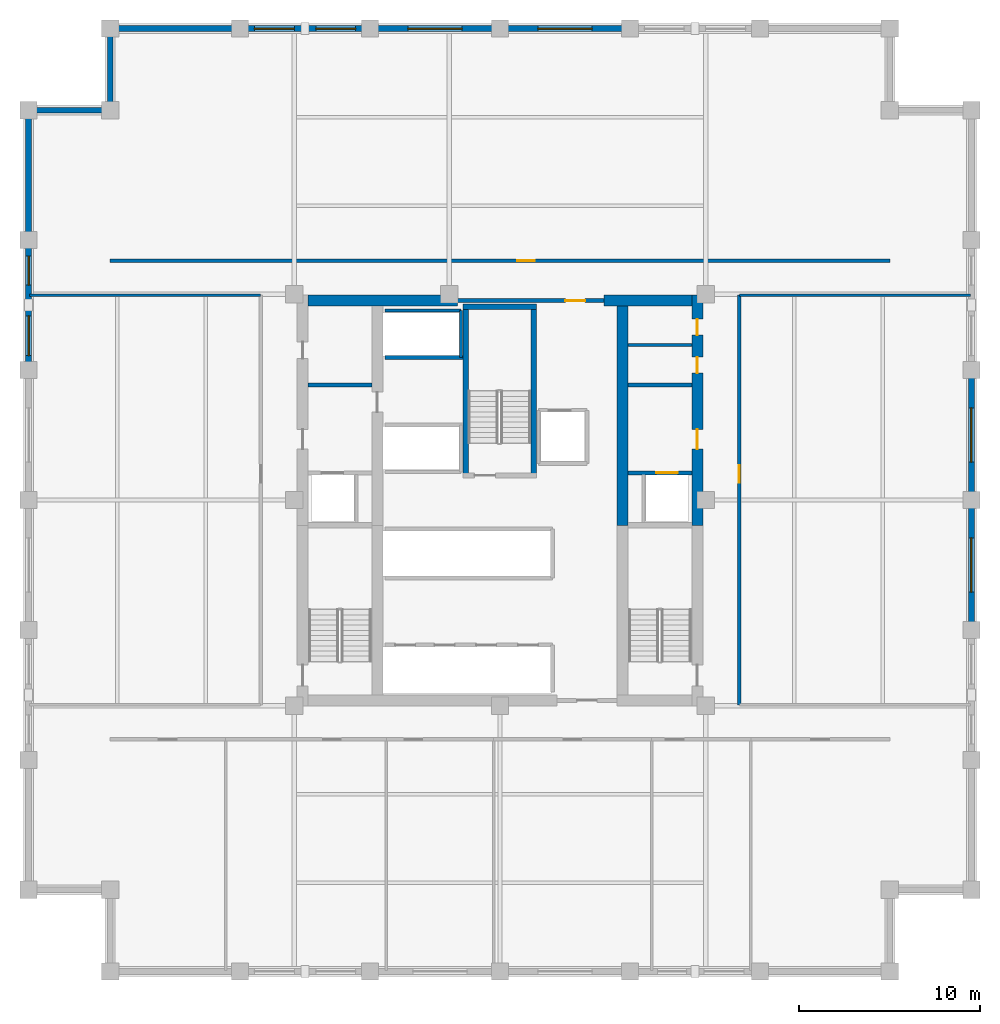
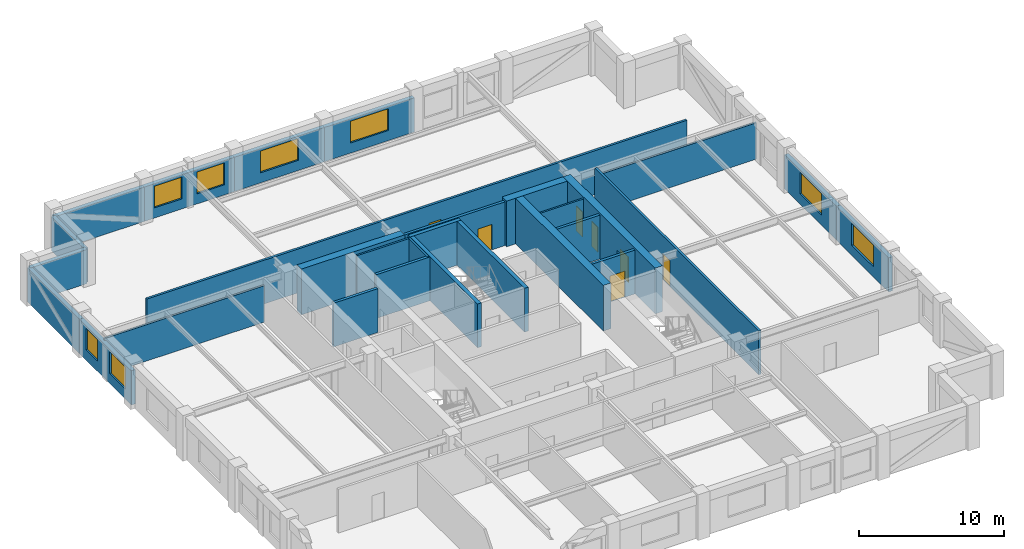
# One storey, part 4 of 6: 29 walls, 8 windows, 7 doors, 15 openings.
"""IFC4 building model written with IfcOpenShell, lengths in metres."""

from ifc_helpers import new_model, si_unit, direction, frame, frame_2d, origin, place, context, subcontext, project, spatial, rectangle, extrude, material, layer, layer_set, type_object, element, fill, save


model = new_model("IFC4")

# Units and contexts
model_context = context("Model", 3, precision=1e-05, world=origin(), true_north=direction((0.0, 1.0)))
body_context = subcontext(model_context, "Body", "Model", "MODEL_VIEW")
ifc_project = project(units=[si_unit("LENGTHUNIT", "METRE"), si_unit("AREAUNIT", "SQUARE_METRE"), si_unit("VOLUMEUNIT", "CUBIC_METRE"), si_unit("PLANEANGLEUNIT", "RADIAN"), si_unit("MASSUNIT", "GRAM", prefix="KILO")], contexts=[model_context])

# Site, building, storey
site_placement = place(None, origin())
site = spatial("IfcSite", under=ifc_project, at=site_placement, CompositionType="ELEMENT")
building_placement = place(site_placement, origin())
building = spatial("IfcBuilding", under=site, at=building_placement, Name="Nhamokura Convention Tower", CompositionType="ELEMENT")
storey_placement = place(building_placement, frame((0.0, 0.0, 160.64990234375)))
storey = spatial("IfcBuildingStorey", under=building, at=storey_placement, Name="L39", CompositionType="ELEMENT", Elevation=160.64990234375)

# Walls
ifc_material_1 = material(Name="Moisture-resistant tile-backer partition", Category="masonry")
ifc_layer_1 = layer(ifc_material_1, 0.139892578125)
ifc_layer_set_1 = layer_set([ifc_layer_1], Name="BathroomWetWall_140")
wall_type_1 = type_object("IfcWallType", Name="BathroomWetWall_140", PredefinedType="STANDARD", material=ifc_layer_set_1)
wall_1_placement = place(storey_placement, frame((39.06005859375, 40.550048828125, 0.0), z_axis=(0.0, 0.0, 1.0), x_axis=(1.0, 0.0, 0.0)))
element("IfcWall", 1, at=wall_1_placement, inside=storey, type_object=wall_type_1, Name="L39 Wall INT-L39-CWNE", PredefinedType="STANDARD", context=body_context, shape_type="SweptSolid", body=[
    extrude(rectangle(XDim=3.530029296875, YDim=0.139892578125, at=frame_2d((1.76513671875, 0.0))), origin(), (0.0, 0.0, 1.0), 3.68505859375),
])
ifc_material_2 = material(Name="Bronze-pigmented precast concrete C45/55", Category="concrete")
ifc_layer_2 = layer(ifc_material_2, 0.320068359375)
ifc_layer_set_2 = layer_set([ifc_layer_2], Name="BronzePrecastSpandrel_320")
wall_type_2 = type_object("IfcWallType", Name="BronzePrecastSpandrel_320", PredefinedType="USERDEFINED", material=ifc_layer_set_2)
wall_2_placement = place(storey_placement, frame((10.5, 58.0, 0.0), z_axis=(0.0, 0.0, 1.0), x_axis=(1.0, 0.0, 0.0)))
element("IfcWall", 2, at=wall_2_placement, inside=storey, type_object=wall_type_2, Name="L39 Braced-Bay Precast Wall NORTH 0", ObjectType="SPANDREL_WALL", PredefinedType="USERDEFINED", context=body_context, shape_type="SweptSolid", body=[
    extrude(rectangle(XDim=7.166748046875, YDim=0.320068359375, at=frame_2d((3.58349609375, 0.0))), origin(), (0.0, 0.0, 1.0), 2.885009765625),
])

# Wall, openings, windows
wall_3_placement = place(storey_placement, frame((17.666748046875, 58.0, 0.0), z_axis=(0.0, 0.0, 1.0), x_axis=(1.0, 0.0, 0.0)))
wall_3 = element("IfcWall", 3, at=wall_3_placement, inside=storey, type_object=wall_type_2, Name="L39 Masonry-Frame Wall NORTH 1", ObjectType="SPANDREL_WALL", PredefinedType="USERDEFINED", context=body_context, shape_type="SweptSolid", body=[
    extrude(rectangle(XDim=7.16650390625, YDim=0.320068359375, at=frame_2d((3.583251953125, 0.0))), origin(), (0.0, 0.0, 1.0), 2.885009765625),
])
opening_1_placement = place(wall_3_placement, frame((0.791748046875, 0.0, 0.85009765625)))
opening_1 = element("IfcOpeningElement", 4, at=opening_1_placement, cuts=wall_3, Name="Opening W-06", PredefinedType="OPENING", context=body_context, shape_type="SweptSolid", body=[
    extrude(rectangle(XDim=2.199951171875, YDim=1.8349609375, at=frame_2d((1.10009765625, 0.91748046875))), frame((0.0, 0.169921875, 0.0), z_axis=(0.0, -1.0, 0.0), x_axis=(1.0, 0.0, 0.0)), (0.0, 0.0, 1.0), 0.340087890625),
])
opening_2_placement = place(wall_3_placement, frame((4.175048828125, 0.0, 0.85009765625)))
opening_2 = element("IfcOpeningElement", 5, at=opening_2_placement, cuts=wall_3, Name="Opening W-06", PredefinedType="OPENING", context=body_context, shape_type="SweptSolid", body=[
    extrude(rectangle(XDim=2.199951171875, YDim=1.8349609375, at=frame_2d((1.10009765625, 0.91748046875))), frame((0.0, 0.169921875, 0.0), z_axis=(0.0, -1.0, 0.0), x_axis=(1.0, 0.0, 0.0)), (0.0, 0.0, 1.0), 0.340087890625),
])
ifc_material_3 = material(Name="Solar-control bronze low-E double glass", Category="glass")
window_type_1 = type_object("IfcWindowType", Name="OfficeModuleWindow_Z2_2200", PartitioningType="SINGLE_PANEL", PredefinedType="WINDOW", material=ifc_material_3)
window_1_placement = place(opening_1_placement, origin())
window_1 = element("IfcWindow", 6, at=window_1_placement, inside=storey, type_object=window_type_1, Name="L39 Facade Window NORTH 1-1", OverallHeight=1.8349609375, OverallWidth=2.199951171875, PartitioningType="SINGLE_PANEL", PredefinedType="WINDOW", context=body_context, shape_type="SweptSolid", body=[
    extrude(rectangle(XDim=2.199951171875, YDim=1.8349609375, at=frame_2d((1.10009765625, 0.91748046875))), frame((0.0, 0.030029296875, 0.0), z_axis=(0.0, -1.0, 0.0), x_axis=(1.0, 0.0, 0.0)), (0.0, 0.0, 1.0), 0.06005859375),
])
fill(opening_1, window_1)
window_2_placement = place(opening_2_placement, origin())
window_2 = element("IfcWindow", 7, at=window_2_placement, inside=storey, type_object=window_type_1, Name="L39 Facade Window NORTH 1-2", OverallHeight=1.8349609375, OverallWidth=2.199951171875, PartitioningType="SINGLE_PANEL", PredefinedType="WINDOW", context=body_context, shape_type="SweptSolid", body=[
    extrude(rectangle(XDim=2.199951171875, YDim=1.8349609375, at=frame_2d((1.10009765625, 0.91748046875))), frame((0.0, 0.030029296875, 0.0), z_axis=(0.0, -1.0, 0.0), x_axis=(1.0, 0.0, 0.0)), (0.0, 0.0, 1.0), 0.06005859375),
])
fill(opening_2, window_2)

# Wall, opening, window
wall_4_placement = place(storey_placement, frame((24.833251953125, 58.0, 0.0), z_axis=(0.0, 0.0, 1.0), x_axis=(1.0, 0.0, 0.0)))
wall_4 = element("IfcWall", 8, at=wall_4_placement, inside=storey, type_object=wall_type_2, Name="L39 Masonry-Frame Wall NORTH 2", ObjectType="SPANDREL_WALL", PredefinedType="USERDEFINED", context=body_context, shape_type="SweptSolid", body=[
    extrude(rectangle(XDim=7.166748046875, YDim=0.320068359375, at=frame_2d((3.58349609375, 0.0))), origin(), (0.0, 0.0, 1.0), 2.885009765625),
])
opening_3_placement = place(wall_4_placement, frame((2.083251953125, 0.0, 0.85009765625)))
opening_3 = element("IfcOpeningElement", 9, at=opening_3_placement, cuts=wall_4, Name="Opening W-05", PredefinedType="OPENING", context=body_context, shape_type="SweptSolid", body=[
    extrude(rectangle(XDim=3.0, YDim=1.8349609375, at=frame_2d((1.5, 0.91748046875))), frame((0.0, 0.169921875, 0.0), z_axis=(0.0, -1.0, 0.0), x_axis=(1.0, 0.0, 0.0)), (0.0, 0.0, 1.0), 0.340087890625),
])
ifc_material_4 = material(Name="Solar-control bronze low-E double glass", Category="glass")
window_type_2 = type_object("IfcWindowType", Name="OfficeModuleWindow_Z2_3000", PartitioningType="DOUBLE_PANEL_VERTICAL", PredefinedType="WINDOW", material=ifc_material_4)
window_3_placement = place(opening_3_placement, origin())
window_3 = element("IfcWindow", 10, at=window_3_placement, inside=storey, type_object=window_type_2, Name="L39 Facade Window NORTH 2", OverallHeight=1.8349609375, OverallWidth=3.0, PartitioningType="SINGLE_PANEL", PredefinedType="WINDOW", context=body_context, shape_type="SweptSolid", body=[
    extrude(rectangle(XDim=3.0, YDim=1.8349609375, at=frame_2d((1.5, 0.91748046875))), frame((0.0, 0.030029296875, 0.0), z_axis=(0.0, -1.0, 0.0), x_axis=(1.0, 0.0, 0.0)), (0.0, 0.0, 1.0), 0.06005859375),
])
fill(opening_3, window_3)

wall_5_placement = place(storey_placement, frame((32.0, 58.0, 0.0), z_axis=(0.0, 0.0, 1.0), x_axis=(1.0, 0.0, 0.0)))
wall_5 = element("IfcWall", 11, at=wall_5_placement, inside=storey, type_object=wall_type_2, Name="L39 Masonry-Frame Wall NORTH 3", ObjectType="SPANDREL_WALL", PredefinedType="USERDEFINED", context=body_context, shape_type="SweptSolid", body=[
    extrude(rectangle(XDim=7.166748046875, YDim=0.320068359375, at=frame_2d((3.58349609375, 0.0))), origin(), (0.0, 0.0, 1.0), 2.885009765625),
])
opening_4_placement = place(wall_5_placement, frame((2.083251953125, 0.0, 0.85009765625)))
opening_4 = element("IfcOpeningElement", 12, at=opening_4_placement, cuts=wall_5, Name="Opening W-05", PredefinedType="OPENING", context=body_context, shape_type="SweptSolid", body=[
    extrude(rectangle(XDim=3.0, YDim=1.8349609375, at=frame_2d((1.5, 0.91748046875))), frame((0.0, 0.169921875, 0.0), z_axis=(0.0, -1.0, 0.0), x_axis=(1.0, 0.0, 0.0)), (0.0, 0.0, 1.0), 0.340087890625),
])
window_4_placement = place(opening_4_placement, origin())
window_4 = element("IfcWindow", 13, at=window_4_placement, inside=storey, type_object=window_type_2, Name="L39 Facade Window NORTH 3", OverallHeight=1.8349609375, OverallWidth=3.0, PartitioningType="SINGLE_PANEL", PredefinedType="WINDOW", context=body_context, shape_type="SweptSolid", body=[
    extrude(rectangle(XDim=3.0, YDim=1.8349609375, at=frame_2d((1.5, 0.91748046875))), frame((0.0, 0.030029296875, 0.0), z_axis=(0.0, -1.0, 0.0), x_axis=(1.0, 0.0, 0.0)), (0.0, 0.0, 1.0), 0.06005859375),
])
fill(opening_4, window_4)

# Wall, openings, windows
wall_6_placement = place(storey_placement, frame((6.0, 39.166748046875, 0.0), z_axis=(0.0, 0.0, 1.0), x_axis=(0.0, 1.0, 0.0)))
wall_6 = element("IfcWall", 14, at=wall_6_placement, inside=storey, type_object=wall_type_2, Name="L39 Masonry-Frame Wall WEST 4", ObjectType="SPANDREL_WALL", PredefinedType="USERDEFINED", context=body_context, shape_type="SweptSolid", body=[
    extrude(rectangle(XDim=7.16650390625, YDim=0.320068359375, at=frame_2d((3.583251953125, 0.0))), origin(), (0.0, 0.0, 1.0), 2.885009765625),
])
opening_5_placement = place(wall_6_placement, frame((0.791748046875, 0.0, 0.85009765625)))
opening_5 = element("IfcOpeningElement", 15, at=opening_5_placement, cuts=wall_6, Name="Opening W-06", PredefinedType="OPENING", context=body_context, shape_type="SweptSolid", body=[
    extrude(rectangle(XDim=2.199951171875, YDim=1.8349609375, at=frame_2d((1.10009765625, 0.91748046875))), frame((0.0, 0.169921875, 0.0), z_axis=(0.0, -1.0, 0.0), x_axis=(1.0, 0.0, 0.0)), (0.0, 0.0, 1.0), 0.340087890625),
])
opening_6_placement = place(wall_6_placement, frame((4.6875, 0.0, 0.85009765625)))
opening_6 = element("IfcOpeningElement", 16, at=opening_6_placement, cuts=wall_6, Name="Opening W-11", PredefinedType="OPENING", context=body_context, shape_type="SweptSolid", body=[
    extrude(rectangle(XDim=1.60009765625, YDim=1.8349609375, at=frame_2d((0.800048828125, 0.91748046875))), frame((0.0, 0.169921875, 0.0), z_axis=(0.0, -1.0, 0.0), x_axis=(1.0, 0.0, 0.0)), (0.0, 0.0, 1.0), 0.340087890625),
])
ifc_material_5 = material(Name="Solar-control bronze low-E double glass", Category="glass")
window_type_3 = type_object("IfcWindowType", Name="NotchCornerWindow_1600", PartitioningType="SINGLE_PANEL", PredefinedType="WINDOW", material=ifc_material_5)
window_5_placement = place(opening_6_placement, origin())
window_5 = element("IfcWindow", 17, at=window_5_placement, inside=storey, type_object=window_type_3, Name="L39 Facade Window WEST 4-2", OverallHeight=1.8349609375, OverallWidth=1.60009765625, PartitioningType="SINGLE_PANEL", PredefinedType="WINDOW", context=body_context, shape_type="SweptSolid", body=[
    extrude(rectangle(XDim=1.60009765625, YDim=1.8349609375, at=frame_2d((0.800048828125, 0.91748046875))), frame((0.0, 0.030029296875, 0.0), z_axis=(0.0, -1.0, 0.0), x_axis=(1.0, 0.0, 0.0)), (0.0, 0.0, 1.0), 0.06005859375),
])
fill(opening_6, window_5)
window_6_placement = place(opening_5_placement, origin())
window_6 = element("IfcWindow", 18, at=window_6_placement, inside=storey, type_object=window_type_1, Name="L39 Facade Window WEST 4-1", OverallHeight=1.8349609375, OverallWidth=2.199951171875, PartitioningType="SINGLE_PANEL", PredefinedType="WINDOW", context=body_context, shape_type="SweptSolid", body=[
    extrude(rectangle(XDim=2.199951171875, YDim=1.8349609375, at=frame_2d((1.10009765625, 0.91748046875))), frame((0.0, 0.030029296875, 0.0), z_axis=(0.0, -1.0, 0.0), x_axis=(1.0, 0.0, 0.0)), (0.0, 0.0, 1.0), 0.06005859375),
])
fill(opening_5, window_6)

# Wall
wall_7_placement = place(storey_placement, frame((6.0, 46.333251953125, 0.0), z_axis=(0.0, 0.0, 1.0), x_axis=(0.0, 1.0, 0.0)))
element("IfcWall", 19, at=wall_7_placement, inside=storey, type_object=wall_type_2, Name="L39 Braced-Bay Precast Wall WEST 5", ObjectType="SPANDREL_WALL", PredefinedType="USERDEFINED", context=body_context, shape_type="SweptSolid", body=[
    extrude(rectangle(XDim=7.166748046875, YDim=0.320068359375, at=frame_2d((3.58349609375, 0.0))), origin(), (0.0, 0.0, 1.0), 2.885009765625),
])

# Wall, opening, window
wall_8_placement = place(storey_placement, frame((58.0, 32.0, 0.0), z_axis=(0.0, 0.0, 1.0), x_axis=(0.0, -1.0, 0.0)))
wall_8 = element("IfcWall", 20, at=wall_8_placement, inside=storey, type_object=wall_type_2, Name="L39 Masonry-Frame Wall EAST 2", ObjectType="SPANDREL_WALL", PredefinedType="USERDEFINED", context=body_context, shape_type="SweptSolid", body=[
    extrude(rectangle(XDim=7.166748046875, YDim=0.320068359375, at=frame_2d((3.58349609375, 0.0))), origin(), (0.0, 0.0, 1.0), 2.885009765625),
])
opening_7_placement = place(wall_8_placement, frame((2.083251953125, 0.0, 0.85009765625)))
opening_7 = element("IfcOpeningElement", 21, at=opening_7_placement, cuts=wall_8, Name="Opening W-05", PredefinedType="OPENING", context=body_context, shape_type="SweptSolid", body=[
    extrude(rectangle(XDim=3.0, YDim=1.8349609375, at=frame_2d((1.5, 0.91748046875))), frame((0.0, 0.169921875, 0.0), z_axis=(0.0, -1.0, 0.0), x_axis=(1.0, 0.0, 0.0)), (0.0, 0.0, 1.0), 0.340087890625),
])
window_7_placement = place(opening_7_placement, origin())
window_7 = element("IfcWindow", 22, at=window_7_placement, inside=storey, type_object=window_type_2, Name="L39 Facade Window EAST 2", OverallHeight=1.8349609375, OverallWidth=3.0, PartitioningType="SINGLE_PANEL", PredefinedType="WINDOW", context=body_context, shape_type="SweptSolid", body=[
    extrude(rectangle(XDim=3.0, YDim=1.8349609375, at=frame_2d((1.5, 0.91748046875))), frame((0.0, 0.030029296875, 0.0), z_axis=(0.0, -1.0, 0.0), x_axis=(1.0, 0.0, 0.0)), (0.0, 0.0, 1.0), 0.06005859375),
])
fill(opening_7, window_7)

wall_9_placement = place(storey_placement, frame((58.0, 39.166748046875, 0.0), z_axis=(0.0, 0.0, 1.0), x_axis=(0.0, -1.0, 0.0)))
wall_9 = element("IfcWall", 23, at=wall_9_placement, inside=storey, type_object=wall_type_2, Name="L39 Masonry-Frame Wall EAST 3", ObjectType="SPANDREL_WALL", PredefinedType="USERDEFINED", context=body_context, shape_type="SweptSolid", body=[
    extrude(rectangle(XDim=7.166748046875, YDim=0.320068359375, at=frame_2d((3.58349609375, 0.0))), origin(), (0.0, 0.0, 1.0), 2.885009765625),
])
opening_8_placement = place(wall_9_placement, frame((2.083251953125, 0.0, 0.85009765625)))
opening_8 = element("IfcOpeningElement", 24, at=opening_8_placement, cuts=wall_9, Name="Opening W-05", PredefinedType="OPENING", context=body_context, shape_type="SweptSolid", body=[
    extrude(rectangle(XDim=3.0, YDim=1.8349609375, at=frame_2d((1.5, 0.91748046875))), frame((0.0, 0.169921875, 0.0), z_axis=(0.0, -1.0, 0.0), x_axis=(1.0, 0.0, 0.0)), (0.0, 0.0, 1.0), 0.340087890625),
])
window_8_placement = place(opening_8_placement, origin())
window_8 = element("IfcWindow", 25, at=window_8_placement, inside=storey, type_object=window_type_2, Name="L39 Facade Window EAST 3", OverallHeight=1.8349609375, OverallWidth=3.0, PartitioningType="SINGLE_PANEL", PredefinedType="WINDOW", context=body_context, shape_type="SweptSolid", body=[
    extrude(rectangle(XDim=3.0, YDim=1.8349609375, at=frame_2d((1.5, 0.91748046875))), frame((0.0, 0.030029296875, 0.0), z_axis=(0.0, -1.0, 0.0), x_axis=(1.0, 0.0, 0.0)), (0.0, 0.0, 1.0), 0.06005859375),
])
fill(opening_8, window_8)

# Walls
for number, where, z_axis, x_axis, name in (
    (26, (10.5, 53.5, 0.0), (0.0, 0.0, 1.0), (0.0, 1.0, 0.0), "L39 Notched Corner Wall NW1"),
    (27, (6.0, 53.5, 0.0), (0.0, 0.0, 1.0), (1.0, 0.0, 0.0), "L39 Notched Corner Wall NW2"),
):
    element("IfcWall", number, at=place(storey_placement, frame(where, z_axis=z_axis, x_axis=x_axis)), inside=storey, type_object=wall_type_2, Name=name, ObjectType="SPANDREL_WALL", PredefinedType="USERDEFINED", context=body_context, shape_type="SweptSolid", body=[
        extrude(rectangle(XDim=4.5, YDim=0.320068359375, at=frame_2d((2.25, 0.0))), origin(), (0.0, 0.0, 1.0), 2.885009765625),
    ])

# Wall, openings, doors
ifc_material_6 = material(Name="Concrete C60/75", Category="concrete")
ifc_layer_3 = layer(ifc_material_6, 0.60009765625)
ifc_layer_set_3 = layer_set([ifc_layer_3], Name="CoreShearWall_600")
wall_type_3 = type_object("IfcWallType", Name="CoreShearWall_600", PredefinedType="SHEAR", material=ifc_layer_set_3)
wall_10_placement = place(storey_placement, frame((42.889892578125, 30.60009765625, 0.0), z_axis=(0.0, 0.0, 1.0), x_axis=(0.0, 1.0, 0.0)))
wall_10 = element("IfcWall", 28, at=wall_10_placement, inside=storey, type_object=wall_type_3, Name="L39 Core Shear Wall CW-EN", PredefinedType="SHEAR", context=body_context, shape_type="SweptSolid", body=[
    extrude(rectangle(XDim=12.699951171875, YDim=0.60009765625, at=frame_2d((6.35009765625, 0.0))), origin(), (0.0, 0.0, 1.0), 3.85009765625),
])
opening_9_placement = place(wall_10_placement, frame((4.199951171875, 0.0, 0.0)))
opening_9 = element("IfcOpeningElement", 29, at=opening_9_placement, cuts=wall_10, Name="Opening D-05", PredefinedType="OPENING", context=body_context, shape_type="SweptSolid", body=[
    extrude(rectangle(XDim=1.10009765625, YDim=2.14990234375, at=frame_2d((0.550048828125, 1.074951171875))), frame((0.0, 0.31005859375, 0.0), z_axis=(0.0, -1.0, 0.0), x_axis=(1.0, 0.0, 0.0)), (0.0, 0.0, 1.0), 0.6201171875),
])
opening_10_placement = place(wall_10_placement, frame((8.39990234375, 0.0, 0.0)))
opening_10 = element("IfcOpeningElement", 30, at=opening_10_placement, cuts=wall_10, Name="Opening D-11", PredefinedType="OPENING", context=body_context, shape_type="SweptSolid", body=[
    extrude(rectangle(XDim=0.8798828125, YDim=2.10009765625, at=frame_2d((0.43994140625, 1.050048828125))), frame((0.0, 0.31005859375, 0.0), z_axis=(0.0, -1.0, 0.0), x_axis=(1.0, 0.0, 0.0)), (0.0, 0.0, 1.0), 0.6201171875),
])
opening_11_placement = place(wall_10_placement, frame((10.5, 0.0, 0.0)))
opening_11 = element("IfcOpeningElement", 31, at=opening_11_placement, cuts=wall_10, Name="Opening D-11", PredefinedType="OPENING", context=body_context, shape_type="SweptSolid", body=[
    extrude(rectangle(XDim=0.8798828125, YDim=2.10009765625, at=frame_2d((0.43994140625, 1.050048828125))), frame((0.0, 0.31005859375, 0.0), z_axis=(0.0, -1.0, 0.0), x_axis=(1.0, 0.0, 0.0)), (0.0, 0.0, 1.0), 0.6201171875),
])
ifc_material_7 = material(Name="Solid oak hardwood", Category="wood")
door_type_1 = type_object("IfcDoorType", Name="BathroomDoor_880", OperationType="NOTDEFINED", PredefinedType="DOOR", material=ifc_material_7)
door_1_placement = place(opening_10_placement, origin())
door_1 = element("IfcDoor", 32, at=door_1_placement, inside=storey, type_object=door_type_1, Name="L39 Core Door INT-L39-D-MWC", OperationType="SINGLE_SWING_RIGHT", OverallHeight=2.10009765625, OverallWidth=0.8798828125, PredefinedType="DOOR", context=body_context, shape_type="SweptSolid", body=[
    extrude(rectangle(XDim=0.8798828125, YDim=2.10009765625, at=frame_2d((0.43994140625, 1.050048828125))), frame((0.0, 0.02490234375, 0.0), z_axis=(0.0, -1.0, 0.0), x_axis=(1.0, 0.0, 0.0)), (0.0, 0.0, 1.0), 0.050048828125),
])
fill(opening_10, door_1)
door_2_placement = place(opening_11_placement, origin())
door_2 = element("IfcDoor", 33, at=door_2_placement, inside=storey, type_object=door_type_1, Name="L39 Core Door INT-L39-D-FWC", OperationType="SINGLE_SWING_LEFT", OverallHeight=2.10009765625, OverallWidth=0.8798828125, PredefinedType="DOOR", context=body_context, shape_type="SweptSolid", body=[
    extrude(rectangle(XDim=0.8798828125, YDim=2.10009765625, at=frame_2d((0.43994140625, 1.050048828125))), frame((0.0, 0.02490234375, 0.0), z_axis=(0.0, -1.0, 0.0), x_axis=(1.0, 0.0, 0.0)), (0.0, 0.0, 1.0), 0.050048828125),
])
fill(opening_11, door_2)
ifc_material_8 = material(Name="Fire-rated steel door", Category="steel")
door_type_2 = type_object("IfcDoorType", Name="FireLobbyDoor_1100", OperationType="NOTDEFINED", PredefinedType="DOOR", material=ifc_material_8)
door_3_placement = place(opening_9_placement, origin())
door_3 = element("IfcDoor", 34, at=door_3_placement, inside=storey, type_object=door_type_2, Name="L39 Core Door INT-L39-D-FFLE", OperationType="SINGLE_SWING_LEFT", OverallHeight=2.14990234375, OverallWidth=1.10009765625, PredefinedType="DOOR", context=body_context, shape_type="SweptSolid", body=[
    extrude(rectangle(XDim=1.10009765625, YDim=2.14990234375, at=frame_2d((0.550048828125, 1.074951171875))), frame((0.0, 0.02490234375, 0.0), z_axis=(0.0, -1.0, 0.0), x_axis=(1.0, 0.0, 0.0)), (0.0, 0.0, 1.0), 0.050048828125),
])
fill(opening_9, door_3)

# Walls
wall_11_placement = place(storey_placement, frame((21.409912109375, 43.0, 0.0), z_axis=(0.0, 0.0, 1.0), x_axis=(1.0, 0.0, 0.0)))
element("IfcWall", 35, at=wall_11_placement, inside=storey, type_object=wall_type_3, Name="L39 Core Shear Wall CW-N1", PredefinedType="SHEAR", context=body_context, shape_type="SweptSolid", body=[
    extrude(rectangle(XDim=8.239990234375, YDim=0.60009765625, at=frame_2d((4.1201171875, 0.0))), origin(), (0.0, 0.0, 1.0), 3.85009765625),
])
wall_12_placement = place(storey_placement, frame((37.75, 43.0, 0.0), z_axis=(0.0, 0.0, 1.0), x_axis=(1.0, 0.0, 0.0)))
element("IfcWall", 36, at=wall_12_placement, inside=storey, type_object=wall_type_3, Name="L39 Core Shear Wall CW-N2", PredefinedType="SHEAR", context=body_context, shape_type="SweptSolid", body=[
    extrude(rectangle(XDim=4.840087890625, YDim=0.60009765625, at=frame_2d((2.419921875, 0.0))), origin(), (0.0, 0.0, 1.0), 3.85009765625),
])
wall_13_placement = place(storey_placement, frame((38.760009765625, 30.60009765625, 0.0), z_axis=(0.0, 0.0, 1.0), x_axis=(0.0, 1.0, 0.0)))
element("IfcWall", 37, at=wall_13_placement, inside=storey, type_object=wall_type_3, Name="L39 Core Shear Wall CW-IEN", PredefinedType="SHEAR", context=body_context, shape_type="SweptSolid", body=[
    extrude(rectangle(XDim=12.099853515625, YDim=0.60009765625, at=frame_2d((6.0498046875, 0.0))), origin(), (0.0, 0.0, 1.0), 3.85009765625),
])

# Wall, opening, door
ifc_material_9 = material(Name="Fire-rated gypsum and masonry partition", Category="masonry")
ifc_layer_4 = layer(ifc_material_9, 0.179931640625)
ifc_layer_set_4 = layer_set([ifc_layer_4], Name="CorridorRatedWall_180")
wall_type_4 = type_object("IfcWallType", Name="CorridorRatedWall_180", PredefinedType="STANDARD", material=ifc_layer_set_4)
wall_14_placement = place(storey_placement, frame((10.5, 45.199951171875, 0.0), z_axis=(0.0, 0.0, 1.0), x_axis=(1.0, 0.0, 0.0)))
wall_14 = element("IfcWall", 38, at=wall_14_placement, inside=storey, type_object=wall_type_4, Name="L39 Wall INT-L39-CW-N00", PredefinedType="STANDARD", context=body_context, shape_type="SweptSolid", body=[
    extrude(rectangle(XDim=43.0, YDim=0.179931640625, at=frame_2d((21.5, 0.0))), origin(), (0.0, 0.0, 1.0), 3.68505859375),
])
opening_12_placement = place(wall_14_placement, frame((22.449951171875, 0.0, 0.0)))
opening_12 = element("IfcOpeningElement", 39, at=opening_12_placement, cuts=wall_14, Name="Opening D-08", PredefinedType="OPENING", context=body_context, shape_type="SweptSolid", body=[
    extrude(rectangle(XDim=0.97998046875, YDim=2.199951171875, at=frame_2d((0.489990234375, 1.10009765625))), frame((0.0, 0.099853515625, 0.0), z_axis=(0.0, -1.0, 0.0), x_axis=(1.0, 0.0, 0.0)), (0.0, 0.0, 1.0), 0.199951171875),
])
ifc_material_10 = material(Name="Solid oak hardwood", Category="wood")
door_type_3 = type_object("IfcDoorType", Name="OfficeEntryDoor_980", OperationType="NOTDEFINED", PredefinedType="DOOR", material=ifc_material_10)
door_4_placement = place(opening_12_placement, origin())
door_4 = element("IfcDoor", 40, at=door_4_placement, inside=storey, type_object=door_type_3, Name="L39 Press Briefing Hall N01 Door", OperationType="SINGLE_SWING_LEFT", OverallHeight=2.199951171875, OverallWidth=0.97998046875, PredefinedType="DOOR", context=body_context, shape_type="SweptSolid", body=[
    extrude(rectangle(XDim=0.97998046875, YDim=2.199951171875, at=frame_2d((0.489990234375, 1.10009765625))), frame((0.0, 0.02490234375, 0.0), z_axis=(0.0, -1.0, 0.0), x_axis=(1.0, 0.0, 0.0)), (0.0, 0.0, 1.0), 0.050048828125),
])
fill(opening_12, door_4)

wall_15_placement = place(storey_placement, frame((45.199951171875, 20.699951171875, 0.0), z_axis=(0.0, 0.0, 1.0), x_axis=(0.0, 1.0, 0.0)))
wall_15 = element("IfcWall", 41, at=wall_15_placement, inside=storey, type_object=wall_type_4, Name="L39 Wall INT-L39-CW-E00", PredefinedType="STANDARD", context=body_context, shape_type="SweptSolid", body=[
    extrude(rectangle(XDim=22.60009765625, YDim=0.179931640625, at=frame_2d((11.300048828125, 0.0))), origin(), (0.0, 0.0, 1.0), 3.68505859375),
])
opening_13_placement = place(wall_15_placement, frame((12.25, 0.0, 0.0)))
opening_13 = element("IfcOpeningElement", 42, at=opening_13_placement, cuts=wall_15, Name="Opening D-08", PredefinedType="OPENING", context=body_context, shape_type="SweptSolid", body=[
    extrude(rectangle(XDim=0.97998046875, YDim=2.199951171875, at=frame_2d((0.489990234375, 1.10009765625))), frame((0.0, 0.099853515625, 0.0), z_axis=(0.0, -1.0, 0.0), x_axis=(1.0, 0.0, 0.0)), (0.0, 0.0, 1.0), 0.199951171875),
])
door_5_placement = place(opening_13_placement, origin())
door_5 = element("IfcDoor", 43, at=door_5_placement, inside=storey, type_object=door_type_3, Name="L39 Meeting Room E01 Door", OperationType="SINGLE_SWING_LEFT", OverallHeight=2.199951171875, OverallWidth=0.97998046875, PredefinedType="DOOR", context=body_context, shape_type="SweptSolid", body=[
    extrude(rectangle(XDim=0.97998046875, YDim=2.199951171875, at=frame_2d((0.489990234375, 1.10009765625))), frame((0.0, 0.02490234375, 0.0), z_axis=(0.0, -1.0, 0.0), x_axis=(1.0, 0.0, 0.0)), (0.0, 0.0, 1.0), 0.050048828125),
])
fill(opening_13, door_5)

ifc_material_11 = material(Name="Autoclaved concrete blockwork", Category="masonry")
ifc_layer_5 = layer(ifc_material_11, 0.219970703125)
ifc_layer_set_5 = layer_set([ifc_layer_5], Name="FireLobbyWall_220")
wall_type_5 = type_object("IfcWallType", Name="FireLobbyWall_220", PredefinedType="STANDARD", material=ifc_layer_set_5)
wall_16_placement = place(storey_placement, frame((39.06005859375, 33.5, 0.0), z_axis=(0.0, 0.0, 1.0), x_axis=(1.0, 0.0, 0.0)))
wall_16 = element("IfcWall", 44, at=wall_16_placement, inside=storey, type_object=wall_type_5, Name="L39 Wall INT-L39-FFE-S", PredefinedType="STANDARD", context=body_context, shape_type="SweptSolid", body=[
    extrude(rectangle(XDim=3.530029296875, YDim=0.219970703125, at=frame_2d((1.76513671875, 0.0))), origin(), (0.0, 0.0, 1.0), 3.68505859375),
])
opening_14_placement = place(wall_16_placement, frame((1.550048828125, 0.0, 0.0)))
opening_14 = element("IfcOpeningElement", 45, at=opening_14_placement, cuts=wall_16, Name="Opening LD-02", PredefinedType="OPENING", context=body_context, shape_type="SweptSolid", body=[
    extrude(rectangle(XDim=1.199951171875, YDim=2.199951171875, at=frame_2d((0.60009765625, 1.10009765625))), frame((0.0, 0.119873046875, 0.0), z_axis=(0.0, -1.0, 0.0), x_axis=(1.0, 0.0, 0.0)), (0.0, 0.0, 1.0), 0.239990234375),
])
ifc_material_12 = material(Name="Anodised bronze stainless steel", Category="steel")
door_type_4 = type_object("IfcDoorType", Name="LiftLandingDoor_FireService", OperationType="DOUBLE_DOOR_SLIDING", PredefinedType="DOOR", material=ifc_material_12)
door_6_placement = place(opening_14_placement, origin())
door_6 = element("IfcDoor", 46, at=door_6_placement, inside=storey, type_object=door_type_4, Name="L39 Firefighting Lift LF-02 Door", OperationType="DOUBLE_DOOR_SLIDING", OverallHeight=2.199951171875, OverallWidth=1.199951171875, PredefinedType="DOOR", context=body_context, shape_type="SweptSolid", body=[
    extrude(rectangle(XDim=1.199951171875, YDim=2.199951171875, at=frame_2d((0.60009765625, 1.10009765625))), frame((0.0, 0.02490234375, 0.0), z_axis=(0.0, -1.0, 0.0), x_axis=(1.0, 0.0, 0.0)), (0.0, 0.0, 1.0), 0.050048828125),
])
fill(opening_14, door_6)

# Walls
for number, where, z_axis, x_axis, name in (
    (47, (21.409912109375, 38.35009765625, 0.0), (0.0, 0.0, 1.0), (1.0, 0.0, 0.0), "L39 Wall INT-L39-FFW-N"),
    (48, (39.06005859375, 38.35009765625, 0.0), (0.0, 0.0, 1.0), (1.0, 0.0, 0.0), "L39 Wall INT-L39-FFE-N"),
):
    element("IfcWall", number, at=place(storey_placement, frame(where, z_axis=z_axis, x_axis=x_axis)), inside=storey, type_object=wall_type_5, Name=name, PredefinedType="STANDARD", context=body_context, shape_type="SweptSolid", body=[
        extrude(rectangle(XDim=3.530029296875, YDim=0.219970703125, at=frame_2d((1.76513671875, 0.0))), origin(), (0.0, 0.0, 1.0), 3.68505859375),
    ])
wall_17_placement = place(storey_placement, frame((25.64990234375, 39.85009765625, 0.0), z_axis=(0.0, 0.0, 1.0), x_axis=(1.0, 0.0, 0.0)))
element("IfcWall", 49, at=wall_17_placement, inside=storey, type_object=wall_type_5, Name="L39 Wall INT-L39-B3N", PredefinedType="STANDARD", context=body_context, shape_type="SweptSolid", body=[
    extrude(rectangle(XDim=4.300048828125, YDim=0.219970703125, at=frame_2d((2.14990234375, 0.0))), origin(), (0.0, 0.0, 1.0), 3.68505859375),
])

# Wall, opening, door
wall_18_placement = place(storey_placement, frame((29.64990234375, 43.0, 0.0), z_axis=(0.0, 0.0, 1.0), x_axis=(1.0, 0.0, 0.0)))
wall_18 = element("IfcWall", 50, at=wall_18_placement, inside=storey, type_object=wall_type_5, Name="L39 Wall INT-L39-CPORT-N", PredefinedType="STANDARD", context=body_context, shape_type="SweptSolid", body=[
    extrude(rectangle(XDim=8.10009765625, YDim=0.219970703125, at=frame_2d((4.050048828125, 0.0))), origin(), (0.0, 0.0, 1.0), 3.68505859375),
])
opening_15_placement = place(wall_18_placement, frame((5.949951171875, 0.0, 0.0)))
opening_15 = element("IfcOpeningElement", 51, at=opening_15_placement, cuts=wall_18, Name="Opening D-05", PredefinedType="OPENING", context=body_context, shape_type="SweptSolid", body=[
    extrude(rectangle(XDim=1.10009765625, YDim=2.14990234375, at=frame_2d((0.550048828125, 1.074951171875))), frame((0.0, 0.119873046875, 0.0), z_axis=(0.0, -1.0, 0.0), x_axis=(1.0, 0.0, 0.0)), (0.0, 0.0, 1.0), 0.239990234375),
])
door_7_placement = place(opening_15_placement, origin())
door_7 = element("IfcDoor", 52, at=door_7_placement, inside=storey, type_object=door_type_2, Name="L39 North Core Lobby Portal Door", OperationType="SINGLE_SWING_RIGHT", OverallHeight=2.14990234375, OverallWidth=1.10009765625, PredefinedType="DOOR", context=body_context, shape_type="SweptSolid", body=[
    extrude(rectangle(XDim=1.10009765625, YDim=2.14990234375, at=frame_2d((0.550048828125, 1.074951171875))), frame((0.0, 0.02490234375, 0.0), z_axis=(0.0, -1.0, 0.0), x_axis=(1.0, 0.0, 0.0)), (0.0, 0.0, 1.0), 0.050048828125),
])
fill(opening_15, door_7)

# Walls
ifc_material_13 = material(Name="Acoustic gypsum stud partition", Category="masonry")
ifc_layer_6 = layer(ifc_material_13, 0.14990234375)
ifc_layer_set_6 = layer_set([ifc_layer_6], Name="InteriorPartition_150")
wall_type_6 = type_object("IfcWallType", Name="InteriorPartition_150", PredefinedType="STANDARD", material=ifc_layer_set_6)
wall_19_placement = place(storey_placement, frame((25.64990234375, 42.449951171875, 0.0), z_axis=(0.0, 0.0, 1.0), x_axis=(1.0, 0.0, 0.0)))
element("IfcWall", 53, at=wall_19_placement, inside=storey, type_object=wall_type_6, Name="L39 Wall INT-L39-B3B-N", PredefinedType="STANDARD", context=body_context, shape_type="SweptSolid", body=[
    extrude(rectangle(XDim=4.2001953125, YDim=0.14990234375, at=frame_2d((2.10009765625, 0.0))), origin(), (0.0, 0.0, 1.0), 3.68505859375),
])
wall_20_placement = place(storey_placement, frame((29.85009765625, 39.85009765625, 0.0), z_axis=(0.0, 0.0, 1.0), x_axis=(0.0, 1.0, 0.0)))
element("IfcWall", 54, at=wall_20_placement, inside=storey, type_object=wall_type_6, Name="L39 Wall INT-L39-B3B-E", PredefinedType="STANDARD", context=body_context, shape_type="SweptSolid", body=[
    extrude(rectangle(XDim=2.599853515625, YDim=0.14990234375, at=frame_2d((1.2998046875, 0.0))), origin(), (0.0, 0.0, 1.0), 3.68505859375),
])
for number, where, z_axis, x_axis, name in (
    (55, (6.06005859375, 43.300048828125, 0.0), (0.0, 0.0, 1.0), (1.0, 0.0, 0.0), "L39 Wall INT-L39-RWT-W"),
    (56, (45.199951171875, 43.300048828125, 0.0), (0.0, 0.0, 1.0), (1.0, 0.0, 0.0), "L39 Wall INT-L39-RWT-E"),
):
    element("IfcWall", number, at=place(storey_placement, frame(where, z_axis=z_axis, x_axis=x_axis)), inside=storey, type_object=wall_type_6, Name=name, PredefinedType="STANDARD", context=body_context, shape_type="SweptSolid", body=[
        extrude(rectangle(XDim=12.739990234375, YDim=0.14990234375, at=frame_2d((6.3701171875, 0.0))), origin(), (0.0, 0.0, 1.0), 3.065185546875),
    ])
ifc_material_14 = material(Name="Concrete C50/60", Category="concrete")
ifc_layer_7 = layer(ifc_material_14, 0.300048828125)
ifc_layer_set_7 = layer_set([ifc_layer_7], Name="ShaftEnclosureWall_300")
wall_type_7 = type_object("IfcWallType", Name="ShaftEnclosureWall_300", PredefinedType="SHEAR", material=ifc_layer_set_7)
for number, where, z_axis, x_axis, name in (
    (57, (30.10009765625, 33.199951171875, 0.0), (0.0, 0.0, 1.0), (0.0, 1.0, 0.0), "L39 Wall INT-L39-ST03W"),
    (58, (33.85009765625, 33.199951171875, 0.0), (0.0, 0.0, 1.0), (0.0, 1.0, 0.0), "L39 Wall INT-L39-ST03E"),
):
    element("IfcWall", number, at=place(storey_placement, frame(where, z_axis=z_axis, x_axis=x_axis)), inside=storey, type_object=wall_type_7, Name=name, PredefinedType="SHEAR", context=body_context, shape_type="SweptSolid", body=[
        extrude(rectangle(XDim=9.60009765625, YDim=0.300048828125, at=frame_2d((4.800048828125, 0.0))), origin(), (0.0, 0.0, 1.0), 3.68505859375),
    ])
wall_21_placement = place(storey_placement, frame((29.949951171875, 42.64990234375, 0.0), z_axis=(0.0, 0.0, 1.0), x_axis=(1.0, 0.0, 0.0)))
element("IfcWall", 59, at=wall_21_placement, inside=storey, type_object=wall_type_7, Name="L39 Wall INT-L39-ST03N", PredefinedType="SHEAR", context=body_context, shape_type="SweptSolid", body=[
    extrude(rectangle(XDim=4.050048828125, YDim=0.300048828125, at=frame_2d((2.02490234375, 0.0))), origin(), (0.0, 0.0, 1.0), 3.68505859375),
])

save(model, "model.ifc")
